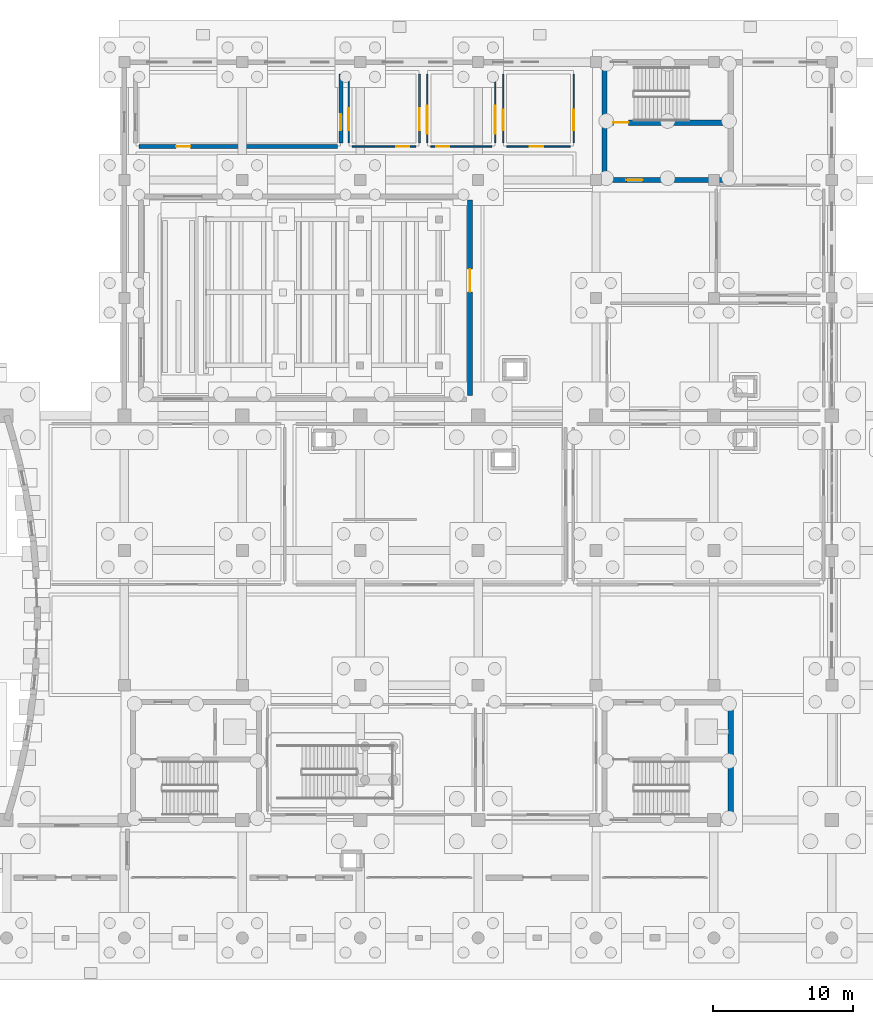
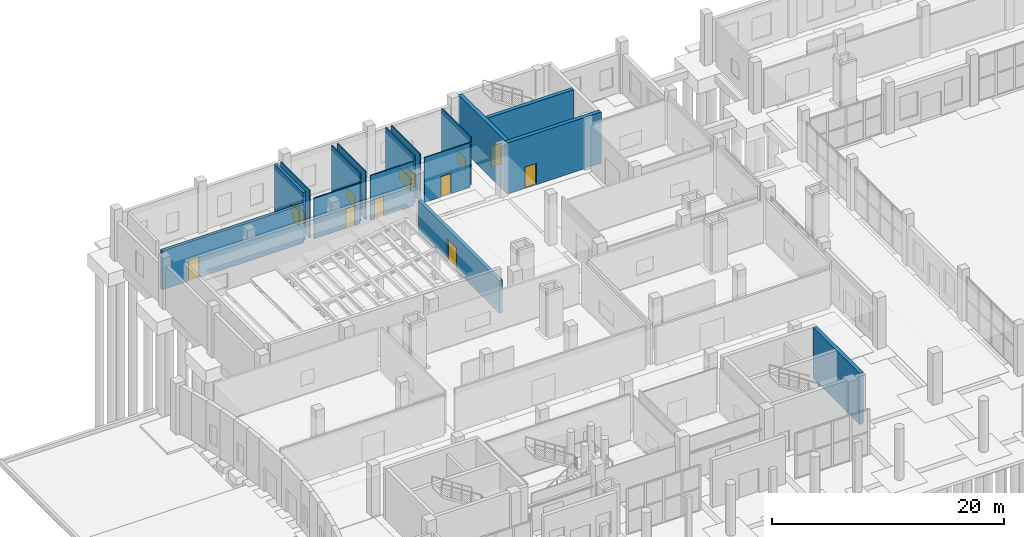
# One storey, part 41 of 65: 16 walls, 7 doors, 7 windows, 14 openings.
"""IFC4 building model written with IfcOpenShell, lengths in metres."""

from ifc_helpers import new_model, si_unit, direction, frame, frame_2d, origin, place, context, subcontext, project, spatial, rectangle, extrude, material, layer, layer_set, type_object, element, fill, save


model = new_model("IFC4")

# Units and contexts
model_context = context("Model", 3, precision=1e-05, world=origin(), true_north=direction((0.0, 1.0)))
body_context = subcontext(model_context, "Body", "Model", "MODEL_VIEW")
ifc_project = project(units=[si_unit("LENGTHUNIT", "METRE"), si_unit("AREAUNIT", "SQUARE_METRE"), si_unit("VOLUMEUNIT", "CUBIC_METRE"), si_unit("PLANEANGLEUNIT", "RADIAN"), si_unit("MASSUNIT", "GRAM", prefix="KILO")], contexts=[model_context])

# Site, building, storey
site_placement = place(None, origin())
site = spatial("IfcSite", under=ifc_project, at=site_placement, CompositionType="ELEMENT")
building_placement = place(site_placement, origin())
building = spatial("IfcBuilding", under=site, at=building_placement, Name="Zulmaris Art Gallery", CompositionType="ELEMENT")
storey_placement = place(building_placement, origin())
storey = spatial("IfcBuildingStorey", under=building, at=storey_placement, Name="L00", CompositionType="ELEMENT", Elevation=0.0)

# Wall, opening, door
ifc_material_1 = material(Name="Moisture-Resistant Tile-Backer Wet Wall", Category="gypsum")
ifc_layer_1 = layer(ifc_material_1, 0.114990234375)
ifc_layer_set_1 = layer_set([ifc_layer_1], Name="Moisture-Resistant Tile-Backer Wet Wall")
wall_type_1 = type_object("IfcWallType", Name="IWALL-PW02", PredefinedType="PARTITIONING", material=ifc_layer_set_1)
wall_1_placement = place(storey_placement, frame((48.6298828125, 69.580078125, 0.0), z_axis=(0.0, 0.0, 1.0), x_axis=(1.0, 0.0, 0.0)))
wall_1 = element("IfcWall", 1, at=wall_1_placement, inside=storey, type_object=wall_type_1, Name="Ground Public Male WC S partition", PredefinedType="PARTITIONING", context=body_context, shape_type="SweptSolid", body=[
    extrude(rectangle(XDim=4.5400390625, YDim=0.114990234375, at=frame_2d((2.27001953125, 0.0))), origin(), (0.0, 0.0, 1.0), 4.2900390625),
])
opening_1_placement = place(wall_1_placement, frame((3.14990234375, 0.0, 0.0)))
opening_1 = element("IfcOpeningElement", 2, at=opening_1_placement, cuts=wall_1, Name="Opening D01", PredefinedType="OPENING", context=body_context, shape_type="SweptSolid", body=[
    extrude(rectangle(XDim=0.89990234375, YDim=2.10009765625, at=frame_2d((0.449951171875, 1.050048828125))), frame((0.0, 0.0673828125, 0.0), z_axis=(0.0, -1.0, 0.0), x_axis=(1.0, 0.0, 0.0)), (0.0, 0.0, 1.0), 0.135009765625),
])
ifc_material_2 = material(Name="Moisture-Resistant WC Door", Category="timber")
door_type_1 = type_object("IfcDoorType", Name="IDOOR-D01", OperationType="NOTDEFINED", PredefinedType="DOOR", material=ifc_material_2)
door_1_placement = place(opening_1_placement, origin())
door_1 = element("IfcDoor", 3, at=door_1_placement, inside=storey, type_object=door_type_1, Name="Ground Public Male WC Door", OperationType="SINGLE_SWING_RIGHT", OverallHeight=2.10009765625, OverallWidth=0.89990234375, PredefinedType="DOOR", context=body_context, shape_type="SweptSolid", body=[
    extrude(rectangle(XDim=0.89990234375, YDim=2.10009765625, at=frame_2d((0.449951171875, 1.050048828125))), frame((0.0, 0.02490234375, 0.0), z_axis=(0.0, -1.0, 0.0), x_axis=(1.0, 0.0, 0.0)), (0.0, 0.0, 1.0), 0.050048828125),
])
fill(opening_1, door_1)

# Wall, opening, window
wall_2_placement = place(storey_placement, frame((48.3798828125, 69.830078125, 0.0), z_axis=(0.0, 0.0, 1.0), x_axis=(0.0, 1.0, 0.0)))
wall_2 = element("IfcWall", 4, at=wall_2_placement, inside=storey, type_object=wall_type_1, Name="Ground Public Male WC W partition", PredefinedType="PARTITIONING", context=body_context, shape_type="SweptSolid", body=[
    extrude(rectangle(XDim=4.93994140625, YDim=0.114990234375, at=frame_2d((2.469970703125, 0.0))), origin(), (0.0, 0.0, 1.0), 5.0400390625),
])
opening_2_placement = place(wall_2_placement, frame((0.89990234375, 0.0, 0.89990234375)))
opening_2 = element("IfcOpeningElement", 5, at=opening_2_placement, cuts=wall_2, Name="Opening IW09", PredefinedType="OPENING", context=body_context, shape_type="SweptSolid", body=[
    extrude(rectangle(XDim=1.580078125, YDim=1.239990234375, at=frame_2d((0.7900390625, 0.6201171875))), frame((0.0, 0.0673828125, 0.0), z_axis=(0.0, -1.0, 0.0), x_axis=(1.0, 0.0, 0.0)), (0.0, 0.0, 1.0), 0.135009765625),
])
ifc_material_3 = material(Name="Registrar Inspection Glazing", Category="glass")
window_type_1 = type_object("IfcWindowType", Name="IWIN-IW09", PartitioningType="SINGLE_PANEL", PredefinedType="WINDOW", material=ifc_material_3)
window_1_placement = place(opening_2_placement, origin())
window_1 = element("IfcWindow", 6, at=window_1_placement, inside=storey, type_object=window_type_1, Name="L00 interior observation window IW09", OverallHeight=1.239990234375, OverallWidth=1.580078125, PartitioningType="SINGLE_PANEL", PredefinedType="WINDOW", context=body_context, shape_type="SweptSolid", body=[
    extrude(rectangle(XDim=1.580078125, YDim=1.239990234375, at=frame_2d((0.7900390625, 0.6201171875))), frame((0.0, 0.030029296875, 0.0), z_axis=(0.0, -1.0, 0.0), x_axis=(1.0, 0.0, 0.0)), (0.0, 0.0, 1.0), 0.06005859375),
])
fill(opening_2, window_1)

wall_3_placement = place(storey_placement, frame((53.419921875, 69.830078125, 0.0), z_axis=(0.0, 0.0, 1.0), x_axis=(0.0, 1.0, 0.0)))
wall_3 = element("IfcWall", 7, at=wall_3_placement, inside=storey, type_object=wall_type_1, Name="Ground Public Male WC E partition", PredefinedType="PARTITIONING", context=body_context, shape_type="SweptSolid", body=[
    extrude(rectangle(XDim=4.93994140625, YDim=0.114990234375, at=frame_2d((2.469970703125, 0.0))), origin(), (0.0, 0.0, 1.0), 5.0400390625),
])
opening_3_placement = place(wall_3_placement, frame((0.89990234375, 0.0, 0.89990234375)))
opening_3 = element("IfcOpeningElement", 8, at=opening_3_placement, cuts=wall_3, Name="Opening IW09", PredefinedType="OPENING", context=body_context, shape_type="SweptSolid", body=[
    extrude(rectangle(XDim=1.580078125, YDim=1.239990234375, at=frame_2d((0.7900390625, 0.6201171875))), frame((0.0, 0.0673828125, 0.0), z_axis=(0.0, -1.0, 0.0), x_axis=(1.0, 0.0, 0.0)), (0.0, 0.0, 1.0), 0.135009765625),
])
window_2_placement = place(opening_3_placement, origin())
window_2 = element("IfcWindow", 9, at=window_2_placement, inside=storey, type_object=window_type_1, Name="L00 interior observation window IW09", OverallHeight=1.239990234375, OverallWidth=1.580078125, PartitioningType="SINGLE_PANEL", PredefinedType="WINDOW", context=body_context, shape_type="SweptSolid", body=[
    extrude(rectangle(XDim=1.580078125, YDim=1.239990234375, at=frame_2d((0.7900390625, 0.6201171875))), frame((0.0, 0.030029296875, 0.0), z_axis=(0.0, -1.0, 0.0), x_axis=(1.0, 0.0, 0.0)), (0.0, 0.0, 1.0), 0.06005859375),
])
fill(opening_3, window_2)

# Wall, opening, door
wall_4_placement = place(storey_placement, frame((54.22998046875, 69.580078125, 0.0), z_axis=(0.0, 0.0, 1.0), x_axis=(1.0, 0.0, 0.0)))
wall_4 = element("IfcWall", 10, at=wall_4_placement, inside=storey, type_object=wall_type_1, Name="Ground Public Female WC S partition", PredefinedType="PARTITIONING", context=body_context, shape_type="SweptSolid", body=[
    extrude(rectangle(XDim=4.340087890625, YDim=0.114990234375, at=frame_2d((2.169921875, 0.0))), origin(), (0.0, 0.0, 1.0), 4.7099609375),
])
opening_4_placement = place(wall_4_placement, frame((0.39990234375, 0.0, 0.0)))
opening_4 = element("IfcOpeningElement", 11, at=opening_4_placement, cuts=wall_4, Name="Opening D01", PredefinedType="OPENING", context=body_context, shape_type="SweptSolid", body=[
    extrude(rectangle(XDim=0.89990234375, YDim=2.10009765625, at=frame_2d((0.449951171875, 1.050048828125))), frame((0.0, 0.0673828125, 0.0), z_axis=(0.0, -1.0, 0.0), x_axis=(1.0, 0.0, 0.0)), (0.0, 0.0, 1.0), 0.135009765625),
])
door_2_placement = place(opening_4_placement, origin())
door_2 = element("IfcDoor", 12, at=door_2_placement, inside=storey, type_object=door_type_1, Name="Ground Public Female WC Door", OperationType="SINGLE_SWING_LEFT", OverallHeight=2.10009765625, OverallWidth=0.89990234375, PredefinedType="DOOR", context=body_context, shape_type="SweptSolid", body=[
    extrude(rectangle(XDim=0.89990234375, YDim=2.10009765625, at=frame_2d((0.449951171875, 1.050048828125))), frame((0.0, 0.02490234375, 0.0), z_axis=(0.0, -1.0, 0.0), x_axis=(1.0, 0.0, 0.0)), (0.0, 0.0, 1.0), 0.050048828125),
])
fill(opening_4, door_2)

# Wall, opening, window
wall_5_placement = place(storey_placement, frame((53.97998046875, 69.830078125, 0.0), z_axis=(0.0, 0.0, 1.0), x_axis=(0.0, 1.0, 0.0)))
wall_5 = element("IfcWall", 13, at=wall_5_placement, inside=storey, type_object=wall_type_1, Name="Ground Public Female WC W partition", PredefinedType="PARTITIONING", context=body_context, shape_type="SweptSolid", body=[
    extrude(rectangle(XDim=4.93994140625, YDim=0.114990234375, at=frame_2d((2.469970703125, 0.0))), origin(), (0.0, 0.0, 1.0), 5.0400390625),
])
opening_5_placement = place(wall_5_placement, frame((0.64990234375, 0.0, 0.89990234375)))
opening_5 = element("IfcOpeningElement", 14, at=opening_5_placement, cuts=wall_5, Name="Opening IW10", PredefinedType="OPENING", context=body_context, shape_type="SweptSolid", body=[
    extrude(rectangle(XDim=2.02001953125, YDim=1.320068359375, at=frame_2d((1.010009765625, 0.66015625))), frame((0.0, 0.0673828125, 0.0), z_axis=(0.0, -1.0, 0.0), x_axis=(1.0, 0.0, 0.0)), (0.0, 0.0, 1.0), 0.135009765625),
])
ifc_material_4 = material(Name="Seminar Acoustic Viewing Window", Category="glass")
window_type_2 = type_object("IfcWindowType", Name="IWIN-IW10", PartitioningType="SINGLE_PANEL", PredefinedType="WINDOW", material=ifc_material_4)
window_3_placement = place(opening_5_placement, origin())
window_3 = element("IfcWindow", 15, at=window_3_placement, inside=storey, type_object=window_type_2, Name="L00 interior observation window IW10", OverallHeight=1.320068359375, OverallWidth=2.02001953125, PartitioningType="SINGLE_PANEL", PredefinedType="WINDOW", context=body_context, shape_type="SweptSolid", body=[
    extrude(rectangle(XDim=2.02001953125, YDim=1.320068359375, at=frame_2d((1.010009765625, 0.66015625))), frame((0.0, 0.030029296875, 0.0), z_axis=(0.0, -1.0, 0.0), x_axis=(1.0, 0.0, 0.0)), (0.0, 0.0, 1.0), 0.06005859375),
])
fill(opening_5, window_3)

wall_6_placement = place(storey_placement, frame((58.820068359375, 69.830078125, 0.0), z_axis=(0.0, 0.0, 1.0), x_axis=(0.0, 1.0, 0.0)))
wall_6 = element("IfcWall", 16, at=wall_6_placement, inside=storey, type_object=wall_type_1, Name="Ground Public Female WC E partition", PredefinedType="PARTITIONING", context=body_context, shape_type="SweptSolid", body=[
    extrude(rectangle(XDim=4.93994140625, YDim=0.114990234375, at=frame_2d((2.469970703125, 0.0))), origin(), (0.0, 0.0, 1.0), 5.0400390625),
])
opening_6_placement = place(wall_6_placement, frame((0.64990234375, 0.0, 0.89990234375)))
opening_6 = element("IfcOpeningElement", 17, at=opening_6_placement, cuts=wall_6, Name="Opening IW10", PredefinedType="OPENING", context=body_context, shape_type="SweptSolid", body=[
    extrude(rectangle(XDim=2.02001953125, YDim=1.320068359375, at=frame_2d((1.010009765625, 0.66015625))), frame((0.0, 0.0673828125, 0.0), z_axis=(0.0, -1.0, 0.0), x_axis=(1.0, 0.0, 0.0)), (0.0, 0.0, 1.0), 0.135009765625),
])
window_4_placement = place(opening_6_placement, origin())
window_4 = element("IfcWindow", 18, at=window_4_placement, inside=storey, type_object=window_type_2, Name="L00 interior observation window IW10", OverallHeight=1.320068359375, OverallWidth=2.02001953125, PartitioningType="SINGLE_PANEL", PredefinedType="WINDOW", context=body_context, shape_type="SweptSolid", body=[
    extrude(rectangle(XDim=2.02001953125, YDim=1.320068359375, at=frame_2d((1.010009765625, 0.66015625))), frame((0.0, 0.030029296875, 0.0), z_axis=(0.0, -1.0, 0.0), x_axis=(1.0, 0.0, 0.0)), (0.0, 0.0, 1.0), 0.06005859375),
])
fill(opening_6, window_4)

# Wall, opening, door
wall_7_placement = place(storey_placement, frame((59.6298828125, 69.580078125, 0.0), z_axis=(0.0, 0.0, 1.0), x_axis=(1.0, 0.0, 0.0)))
wall_7 = element("IfcWall", 19, at=wall_7_placement, inside=storey, type_object=wall_type_1, Name="Ground Accessible WC S partition", PredefinedType="PARTITIONING", context=body_context, shape_type="SweptSolid", body=[
    extrude(rectangle(XDim=4.5400390625, YDim=0.114990234375, at=frame_2d((2.27001953125, 0.0))), origin(), (0.0, 0.0, 1.0), 4.7099609375),
])
opening_7_placement = place(wall_7_placement, frame((1.64990234375, 0.0, 0.0)))
opening_7 = element("IfcOpeningElement", 20, at=opening_7_placement, cuts=wall_7, Name="Opening D02", PredefinedType="OPENING", context=body_context, shape_type="SweptSolid", body=[
    extrude(rectangle(XDim=0.9599609375, YDim=2.139892578125, at=frame_2d((0.47998046875, 1.06982421875))), frame((0.0, 0.0673828125, 0.0), z_axis=(0.0, -1.0, 0.0), x_axis=(1.0, 0.0, 0.0)), (0.0, 0.0, 1.0), 0.135009765625),
])
ifc_material_5 = material(Name="Accessible WC Outward-Opening Door", Category="timber")
door_type_2 = type_object("IfcDoorType", Name="IDOOR-D02", OperationType="NOTDEFINED", PredefinedType="DOOR", material=ifc_material_5)
door_3_placement = place(opening_7_placement, origin())
door_3 = element("IfcDoor", 21, at=door_3_placement, inside=storey, type_object=door_type_2, Name="Ground Accessible WC Door", OperationType="SINGLE_SWING_RIGHT", OverallHeight=2.139892578125, OverallWidth=0.9599609375, PredefinedType="DOOR", context=body_context, shape_type="SweptSolid", body=[
    extrude(rectangle(XDim=0.9599609375, YDim=2.139892578125, at=frame_2d((0.47998046875, 1.06982421875))), frame((0.0, 0.02490234375, 0.0), z_axis=(0.0, -1.0, 0.0), x_axis=(1.0, 0.0, 0.0)), (0.0, 0.0, 1.0), 0.050048828125),
])
fill(opening_7, door_3)

# Wall, opening, window
wall_8_placement = place(storey_placement, frame((59.3798828125, 69.830078125, 0.0), z_axis=(0.0, 0.0, 1.0), x_axis=(0.0, 1.0, 0.0)))
wall_8 = element("IfcWall", 22, at=wall_8_placement, inside=storey, type_object=wall_type_1, Name="Ground Accessible WC W partition", PredefinedType="PARTITIONING", context=body_context, shape_type="SweptSolid", body=[
    extrude(rectangle(XDim=4.93994140625, YDim=0.114990234375, at=frame_2d((2.469970703125, 0.0))), origin(), (0.0, 0.0, 1.0), 5.0400390625),
])
opening_8_placement = place(wall_8_placement, frame((0.89990234375, 0.0, 0.89990234375)))
opening_8 = element("IfcOpeningElement", 23, at=opening_8_placement, cuts=wall_8, Name="Opening IW01", PredefinedType="OPENING", context=body_context, shape_type="SweptSolid", body=[
    extrude(rectangle(XDim=1.47998046875, YDim=1.35009765625, at=frame_2d((0.739990234375, 0.675048828125))), frame((0.0, 0.0673828125, 0.0), z_axis=(0.0, -1.0, 0.0), x_axis=(1.0, 0.0, 0.0)), (0.0, 0.0, 1.0), 0.135009765625),
])
ifc_material_6 = material(Name="Conservation Studio Viewing Window", Category="glass")
window_type_3 = type_object("IfcWindowType", Name="IWIN-IW01", PartitioningType="SINGLE_PANEL", PredefinedType="WINDOW", material=ifc_material_6)
window_5_placement = place(opening_8_placement, origin())
window_5 = element("IfcWindow", 24, at=window_5_placement, inside=storey, type_object=window_type_3, Name="L00 interior observation window IW01", OverallHeight=1.35009765625, OverallWidth=1.47998046875, PartitioningType="SINGLE_PANEL", PredefinedType="WINDOW", context=body_context, shape_type="SweptSolid", body=[
    extrude(rectangle(XDim=1.47998046875, YDim=1.35009765625, at=frame_2d((0.739990234375, 0.675048828125))), frame((0.0, 0.030029296875, 0.0), z_axis=(0.0, -1.0, 0.0), x_axis=(1.0, 0.0, 0.0)), (0.0, 0.0, 1.0), 0.06005859375),
])
fill(opening_8, window_5)

wall_9_placement = place(storey_placement, frame((64.419921875, 69.830078125, 0.0), z_axis=(0.0, 0.0, 1.0), x_axis=(0.0, 1.0, 0.0)))
wall_9 = element("IfcWall", 25, at=wall_9_placement, inside=storey, type_object=wall_type_1, Name="Ground Accessible WC E partition", PredefinedType="PARTITIONING", context=body_context, shape_type="SweptSolid", body=[
    extrude(rectangle(XDim=4.93994140625, YDim=0.114990234375, at=frame_2d((2.469970703125, 0.0))), origin(), (0.0, 0.0, 1.0), 5.0400390625),
])
opening_9_placement = place(wall_9_placement, frame((0.89990234375, 0.0, 0.89990234375)))
opening_9 = element("IfcOpeningElement", 26, at=opening_9_placement, cuts=wall_9, Name="Opening IW01", PredefinedType="OPENING", context=body_context, shape_type="SweptSolid", body=[
    extrude(rectangle(XDim=1.47998046875, YDim=1.35009765625, at=frame_2d((0.739990234375, 0.675048828125))), frame((0.0, 0.0673828125, 0.0), z_axis=(0.0, -1.0, 0.0), x_axis=(1.0, 0.0, 0.0)), (0.0, 0.0, 1.0), 0.135009765625),
])
window_6_placement = place(opening_9_placement, origin())
window_6 = element("IfcWindow", 27, at=window_6_placement, inside=storey, type_object=window_type_3, Name="L00 interior observation window IW01", OverallHeight=1.35009765625, OverallWidth=1.47998046875, PartitioningType="SINGLE_PANEL", PredefinedType="WINDOW", context=body_context, shape_type="SweptSolid", body=[
    extrude(rectangle(XDim=1.47998046875, YDim=1.35009765625, at=frame_2d((0.739990234375, 0.675048828125))), frame((0.0, 0.030029296875, 0.0), z_axis=(0.0, -1.0, 0.0), x_axis=(1.0, 0.0, 0.0)), (0.0, 0.0, 1.0), 0.06005859375),
])
fill(opening_9, window_6)

# Wall, opening, door
ifc_material_7 = material(Name="Plant & Substation Acoustic Blockwork Wall", Category="masonry")
ifc_layer_2 = layer(ifc_material_7, 0.27001953125)
ifc_layer_set_2 = layer_set([ifc_layer_2], Name="Plant & Substation Acoustic Blockwork Wall")
wall_type_2 = type_object("IfcWallType", Name="IWALL-PW12", PredefinedType="PARTITIONING", material=ifc_layer_set_2)
wall_10_placement = place(storey_placement, frame((33.429931640625, 69.580078125, 0.0), z_axis=(0.0, 0.0, 1.0), x_axis=(1.0, 0.0, 0.0)))
wall_10 = element("IfcWall", 28, at=wall_10_placement, inside=storey, type_object=wall_type_2, Name="Green Room & Performers Lounge S partition", PredefinedType="PARTITIONING", context=body_context, shape_type="SweptSolid", body=[
    extrude(rectangle(XDim=14.14013671875, YDim=0.27001953125, at=frame_2d((7.070068359375, 0.0))), origin(), (0.0, 0.0, 1.0), 4.090087890625),
])
opening_10_placement = place(wall_10_placement, frame((2.64990234375, 0.0, 0.0)))
opening_10 = element("IfcOpeningElement", 29, at=opening_10_placement, cuts=wall_10, Name="Opening D23", PredefinedType="OPENING", context=body_context, shape_type="SweptSolid", body=[
    extrude(rectangle(XDim=1.02001953125, YDim=2.260009765625, at=frame_2d((0.510009765625, 1.1298828125))), frame((0.0, 0.14501953125, 0.0), z_axis=(0.0, -1.0, 0.0), x_axis=(1.0, 0.0, 0.0)), (0.0, 0.0, 1.0), 0.2900390625),
])
ifc_material_8 = material(Name="Green Room Performer Door", Category="timber")
door_type_3 = type_object("IfcDoorType", Name="IDOOR-D23", OperationType="NOTDEFINED", PredefinedType="DOOR", material=ifc_material_8)
door_4_placement = place(opening_10_placement, origin())
door_4 = element("IfcDoor", 30, at=door_4_placement, inside=storey, type_object=door_type_3, Name="Green Room & Performers Lounge Door", OperationType="SINGLE_SWING_LEFT", OverallHeight=2.260009765625, OverallWidth=1.02001953125, PredefinedType="DOOR", context=body_context, shape_type="SweptSolid", body=[
    extrude(rectangle(XDim=1.02001953125, YDim=2.260009765625, at=frame_2d((0.510009765625, 1.1298828125))), frame((0.0, 0.02490234375, 0.0), z_axis=(0.0, -1.0, 0.0), x_axis=(1.0, 0.0, 0.0)), (0.0, 0.0, 1.0), 0.050048828125),
])
fill(opening_10, door_4)

# Wall, opening, window
wall_11_placement = place(storey_placement, frame((47.820068359375, 69.830078125, 0.0), z_axis=(0.0, 0.0, 1.0), x_axis=(0.0, 1.0, 0.0)))
wall_11 = element("IfcWall", 31, at=wall_11_placement, inside=storey, type_object=wall_type_2, Name="Green Room & Performers Lounge E partition", PredefinedType="PARTITIONING", context=body_context, shape_type="SweptSolid", body=[
    extrude(rectangle(XDim=4.93994140625, YDim=0.27001953125, at=frame_2d((2.469970703125, 0.0))), origin(), (0.0, 0.0, 1.0), 5.0400390625),
])
opening_11_placement = place(wall_11_placement, frame((0.89990234375, 0.0, 0.89990234375)))
opening_11 = element("IfcOpeningElement", 32, at=opening_11_placement, cuts=wall_11, Name="Opening IW08", PredefinedType="OPENING", context=body_context, shape_type="SweptSolid", body=[
    extrude(rectangle(XDim=1.159912109375, YDim=1.6201171875, at=frame_2d((0.580078125, 0.81005859375))), frame((0.0, 0.14501953125, 0.0), z_axis=(0.0, -1.0, 0.0), x_axis=(1.0, 0.0, 0.0)), (0.0, 0.0, 1.0), 0.2900390625),
])
ifc_material_9 = material(Name="Foyer Cloakroom Counter Glazing", Category="glass")
window_type_4 = type_object("IfcWindowType", Name="IWIN-IW08", PartitioningType="SINGLE_PANEL", PredefinedType="WINDOW", material=ifc_material_9)
window_7_placement = place(opening_11_placement, origin())
window_7 = element("IfcWindow", 33, at=window_7_placement, inside=storey, type_object=window_type_4, Name="L00 interior observation window IW08", OverallHeight=1.6201171875, OverallWidth=1.159912109375, PartitioningType="SINGLE_PANEL", PredefinedType="WINDOW", context=body_context, shape_type="SweptSolid", body=[
    extrude(rectangle(XDim=1.159912109375, YDim=1.6201171875, at=frame_2d((0.580078125, 0.81005859375))), frame((0.0, 0.030029296875, 0.0), z_axis=(0.0, -1.0, 0.0), x_axis=(1.0, 0.0, 0.0)), (0.0, 0.0, 1.0), 0.06005859375),
])
fill(opening_11, window_7)

# Wall, opening, door
ifc_material_10 = material(Name="Auditorium Double-Leaf Acoustic Isolation Wall", Category="masonry")
ifc_layer_3 = layer(ifc_material_10, 0.330078125)
ifc_layer_set_3 = layer_set([ifc_layer_3], Name="Auditorium Double-Leaf Acoustic Isolation Wall")
wall_type_3 = type_object("IfcWallType", Name="IWALL-PW14", PredefinedType="PARTITIONING", material=ifc_layer_set_3)
wall_12_placement = place(storey_placement, frame((57.02001953125, 51.830078125, 0.0), z_axis=(0.0, 0.0, 1.0), x_axis=(0.0, 1.0, 0.0)))
wall_12 = element("IfcWall", 34, at=wall_12_placement, inside=storey, type_object=wall_type_3, Name="320-Seat Lecture Auditorium E partition", PredefinedType="PARTITIONING", context=body_context, shape_type="SweptSolid", body=[
    extrude(rectangle(XDim=13.93994140625, YDim=0.330078125, at=frame_2d((6.969970703125, 0.0))), origin(), (0.0, 0.0, 1.0), 3.43994140625),
])
opening_12_placement = place(wall_12_placement, frame((7.39990234375, 0.0, 0.0)))
opening_12 = element("IfcOpeningElement", 35, at=opening_12_placement, cuts=wall_12, Name="Opening D22", PredefinedType="OPENING", context=body_context, shape_type="SweptSolid", body=[
    extrude(rectangle(XDim=1.6201171875, YDim=2.3798828125, at=frame_2d((0.81005859375, 1.18994140625))), frame((0.0, 0.175048828125, 0.0), z_axis=(0.0, -1.0, 0.0), x_axis=(1.0, 0.0, 0.0)), (0.0, 0.0, 1.0), 0.35009765625),
])
ifc_material_11 = material(Name="Archive Vault Vestibule Door", Category="steel")
door_type_4 = type_object("IfcDoorType", Name="IDOOR-D22", OperationType="DOUBLE_SWING_RIGHT", PredefinedType="DOOR", material=ifc_material_11)
door_5_placement = place(opening_12_placement, origin())
door_5 = element("IfcDoor", 36, at=door_5_placement, inside=storey, type_object=door_type_4, Name="320-Seat Lecture Auditorium Door", OperationType="DOUBLE_SWING_RIGHT", OverallHeight=2.3798828125, OverallWidth=1.6201171875, PredefinedType="DOOR", context=body_context, shape_type="SweptSolid", body=[
    extrude(rectangle(XDim=1.6201171875, YDim=2.3798828125, at=frame_2d((0.81005859375, 1.18994140625))), frame((0.0, 0.02490234375, 0.0), z_axis=(0.0, -1.0, 0.0), x_axis=(1.0, 0.0, 0.0)), (0.0, 0.0, 1.0), 0.050048828125),
])
fill(opening_12, door_5)

# Wall
ifc_material_12 = material(Name="Concrete C50/60", Category="concrete")
ifc_layer_4 = layer(ifc_material_12, 0.3798828125)
ifc_layer_set_4 = layer_set([ifc_layer_4], Name="Concrete C50/60")
wall_type_4 = type_object("IfcWallType", Name="STR-WALL-SW02", PredefinedType="SHEAR", material=ifc_layer_set_4)
wall_13_placement = place(storey_placement, frame((75.60009765625, 21.7900390625, 0.0), z_axis=(0.0, 0.0, 1.0), x_axis=(0.0, 1.0, 0.0)))
element("IfcWall", 37, at=wall_13_placement, inside=storey, type_object=wall_type_4, Name="Core C2 L00 E shear wall", PredefinedType="SHEAR", context=body_context, shape_type="SweptSolid", body=[
    extrude(rectangle(XDim=8.02001953125, YDim=0.3798828125, at=frame_2d((4.010009765625, 0.0))), origin(), (0.0, 0.0, 1.0), 5.39990234375),
])

# Wall, opening, door
wall_14_placement = place(storey_placement, frame((66.409912109375, 67.199951171875, 0.0), z_axis=(0.0, 0.0, 1.0), x_axis=(1.0, 0.0, 0.0)))
wall_14 = element("IfcWall", 38, at=wall_14_placement, inside=storey, type_object=wall_type_4, Name="Core C6 L00 S shear wall", PredefinedType="SHEAR", context=body_context, shape_type="SweptSolid", body=[
    extrude(rectangle(XDim=9.380126953125, YDim=0.3798828125, at=frame_2d((4.68994140625, 0.0))), origin(), (0.0, 0.0, 1.0), 5.39990234375),
])
opening_13_placement = place(wall_14_placement, frame((1.75, 0.0, 0.0)))
opening_13 = element("IfcOpeningElement", 39, at=opening_13_placement, cuts=wall_14, Name="Opening D08", PredefinedType="OPENING", context=body_context, shape_type="SweptSolid", body=[
    extrude(rectangle(XDim=1.179931640625, YDim=2.239990234375, at=frame_2d((0.58984375, 1.1201171875))), frame((0.0, 0.199951171875, 0.0), z_axis=(0.0, -1.0, 0.0), x_axis=(1.0, 0.0, 0.0)), (0.0, 0.0, 1.0), 0.39990234375),
])
ifc_material_13 = material(Name="Firefighting Lobby Compartment Door", Category="steel")
door_type_5 = type_object("IfcDoorType", Name="IDOOR-D08", OperationType="NOTDEFINED", PredefinedType="DOOR", material=ifc_material_13)
door_6_placement = place(opening_13_placement, origin())
door_6 = element("IfcDoor", 40, at=door_6_placement, inside=storey, type_object=door_type_5, Name="Core C6 L00 Lobby Compartment Door", OperationType="SINGLE_SWING_RIGHT", OverallHeight=2.239990234375, OverallWidth=1.179931640625, PredefinedType="DOOR", context=body_context, shape_type="SweptSolid", body=[
    extrude(rectangle(XDim=1.179931640625, YDim=2.239990234375, at=frame_2d((0.58984375, 1.1201171875))), frame((0.0, 0.02490234375, 0.0), z_axis=(0.0, -1.0, 0.0), x_axis=(1.0, 0.0, 0.0)), (0.0, 0.0, 1.0), 0.050048828125),
])
fill(opening_13, door_6)

# Wall
wall_15_placement = place(storey_placement, frame((66.60009765625, 67.389892578125, 0.0), z_axis=(0.0, 0.0, 1.0), x_axis=(0.0, 1.0, 0.0)))
element("IfcWall", 41, at=wall_15_placement, inside=storey, type_object=wall_type_4, Name="Core C6 L00 W shear wall", PredefinedType="SHEAR", context=body_context, shape_type="SweptSolid", body=[
    extrude(rectangle(XDim=8.02001953125, YDim=0.3798828125, at=frame_2d((4.010009765625, 0.0))), origin(), (0.0, 0.0, 1.0), 5.39990234375),
])

# Wall, opening, door
wall_16_placement = place(storey_placement, frame((66.7900390625, 71.2900390625, 0.0), z_axis=(0.0, 0.0, 1.0), x_axis=(1.0, 0.0, 0.0)))
wall_16 = element("IfcWall", 42, at=wall_16_placement, inside=storey, type_object=wall_type_4, Name="Core C6 L00 DIV shear wall", PredefinedType="SHEAR", context=body_context, shape_type="SweptSolid", body=[
    extrude(rectangle(XDim=8.619873046875, YDim=0.3798828125, at=frame_2d((4.31005859375, 0.0))), origin(), (0.0, 0.0, 1.0), 5.39990234375),
])
opening_14_placement = place(wall_16_placement, frame((0.449951171875, 0.0, 0.0)))
opening_14 = element("IfcOpeningElement", 43, at=opening_14_placement, cuts=wall_16, Name="Opening D07", PredefinedType="OPENING", context=body_context, shape_type="SweptSolid", body=[
    extrude(rectangle(XDim=1.080078125, YDim=2.179931640625, at=frame_2d((0.5400390625, 1.08984375))), frame((0.0, 0.199951171875, 0.0), z_axis=(0.0, -1.0, 0.0), x_axis=(1.0, 0.0, 0.0)), (0.0, 0.0, 1.0), 0.39990234375),
])
ifc_material_14 = material(Name="Stairwell Fire Escape Door", Category="steel")
door_type_6 = type_object("IfcDoorType", Name="IDOOR-D07", OperationType="NOTDEFINED", PredefinedType="DOOR", material=ifc_material_14)
door_7_placement = place(opening_14_placement, origin())
door_7 = element("IfcDoor", 44, at=door_7_placement, inside=storey, type_object=door_type_6, Name="Core C6 L00 Stair ST7 Fire Door", OperationType="SINGLE_SWING_LEFT", OverallHeight=2.179931640625, OverallWidth=1.080078125, PredefinedType="DOOR", context=body_context, shape_type="SweptSolid", body=[
    extrude(rectangle(XDim=1.080078125, YDim=2.179931640625, at=frame_2d((0.5400390625, 1.08984375))), frame((0.0, 0.02490234375, 0.0), z_axis=(0.0, -1.0, 0.0), x_axis=(1.0, 0.0, 0.0)), (0.0, 0.0, 1.0), 0.050048828125),
])
fill(opening_14, door_7)

save(model, "model.ifc")
